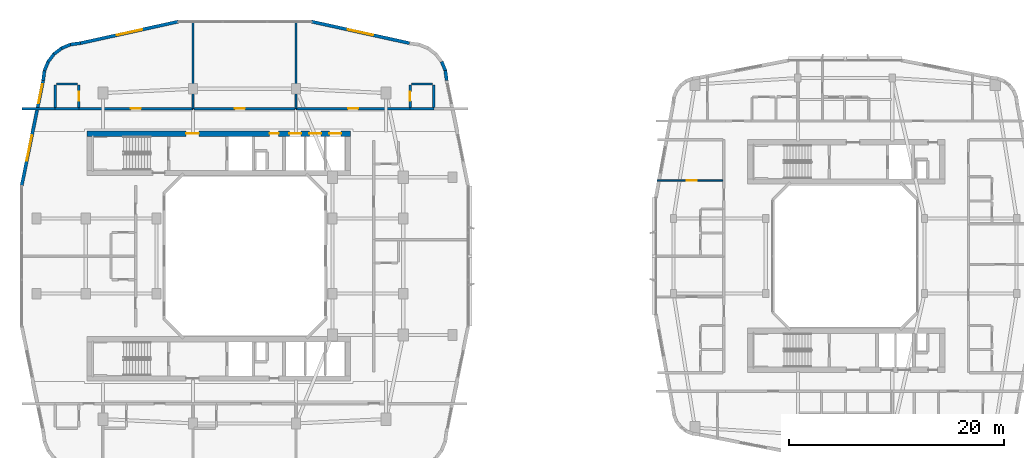
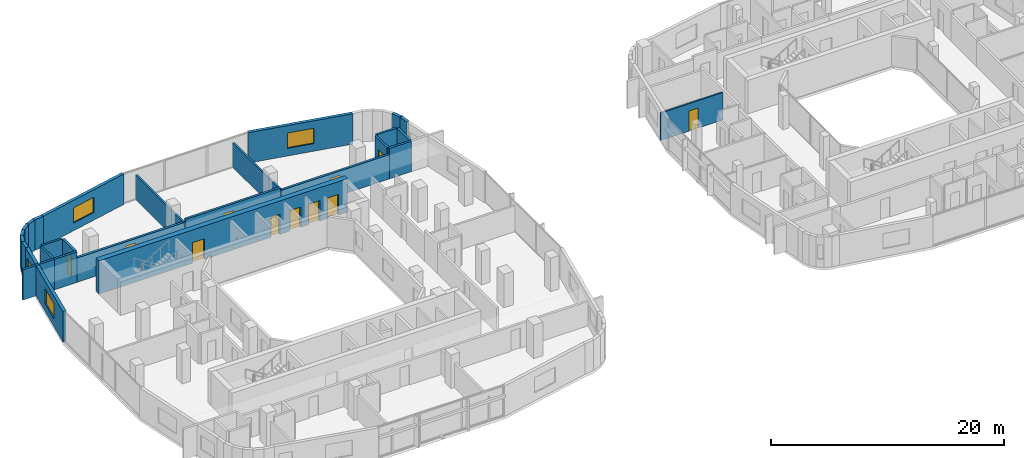
# One storey, part 15 of 25: 27 walls, 11 doors, 4 windows, 15 openings.
"""IFC4 building model written with IfcOpenShell, lengths in metres."""

from ifc_helpers import new_model, si_unit, derived_unit, direction, frame, frame_2d, origin, place, context, subcontext, project, spatial, rectangle, extrude, material, layer, layer_set, type_object, element, fill, save


model = new_model("IFC4")

# Units and contexts
model_context = context("Model", 3, precision=1e-05, world=origin(), true_north=direction((0.0, 1.0)))
body_context = subcontext(model_context, "Body", "Model", "MODEL_VIEW")
ifc_project = project(units=[si_unit("LENGTHUNIT", "METRE"), si_unit("AREAUNIT", "SQUARE_METRE"), si_unit("VOLUMEUNIT", "CUBIC_METRE"), si_unit("PLANEANGLEUNIT", "RADIAN"), si_unit("MASSUNIT", "GRAM", prefix="KILO"), derived_unit("THERMALTRANSMITTANCEUNIT", [(si_unit("POWERUNIT", "WATT"), 1), (si_unit("LENGTHUNIT", "METRE"), -2), (si_unit("THERMODYNAMICTEMPERATUREUNIT", "KELVIN"), -1)])], contexts=[model_context])

# Site, building, storey
site_placement = place(None, origin())
site = spatial("IfcSite", under=ifc_project, at=site_placement, CompositionType="ELEMENT")
building_placement = place(site_placement, origin())
building = spatial("IfcBuilding", under=site, at=building_placement, Name="Kivonza Crest Hotel", CompositionType="ELEMENT")
storey_placement = place(building_placement, frame((0.0, 0.0, 87.0)))
storey = spatial("IfcBuildingStorey", under=building, at=storey_placement, Name="L23", CompositionType="ELEMENT", Elevation=87.0)

# Walls
ifc_material_1 = material(Name="High-density acoustic masonry inter-tenancy wall", Category="masonry")
ifc_layer_1 = layer(ifc_material_1, 0.179931640625)
ifc_layer_set_1 = layer_set([ifc_layer_1], Name="High-density acoustic masonry inter-tenancy wall")
wall_type_1 = type_object("IfcWallType", Name="WL-ACOU-180", PredefinedType="SOLIDWALL", material=ifc_layer_set_1)
for number, where, z_axis, x_axis, name in (
    (1, (16.199951171875, 38.75, 0.0), (0.0, 0.0, 1.0), (0.0, 1.0, 0.0), "L23 interior partition WA-L23-T1N-DIV1"),
    (2, (25.800048828125, 38.75, 0.0), (0.0, 0.0, 1.0), (0.0, 1.0, 0.0), "L23 interior partition WA-L23-T1N-DIV2"),
):
    element("IfcWall", number, at=place(storey_placement, frame(where, z_axis=z_axis, x_axis=x_axis)), inside=storey, type_object=wall_type_1, Name=name, PredefinedType="SOLIDWALL", context=body_context, shape_type="SweptSolid", body=[
        extrude(rectangle(XDim=8.18994140625, YDim=0.179931640625, at=frame_2d((4.094970703125, 0.0))), origin(), (0.0, 0.0, 1.0), 2.554931640625),
    ])
ifc_material_2 = material(Name="Autoclaved aerated concrete blockwork", Category="masonry")
ifc_layer_2 = layer(ifc_material_2, 0.219970703125)
ifc_layer_set_2 = layer_set([ifc_layer_2], Name="Autoclaved aerated concrete blockwork")
wall_type_2 = type_object("IfcWallType", Name="WL-ACOU-220", PredefinedType="SOLIDWALL", material=ifc_layer_set_2)
wall_1_placement = place(storey_placement, frame((0.239990234375, 38.75, 0.0), z_axis=(0.0, 0.0, 1.0), x_axis=(1.0, 0.0, 0.0)))
element("IfcWall", 3, at=wall_1_placement, inside=storey, type_object=wall_type_2, Name="L23 interior partition WA-L23-N01-XCORR", PredefinedType="SOLIDWALL", context=body_context, shape_type="SweptSolid", body=[
    extrude(rectangle(XDim=3.110107421875, YDim=0.219970703125, at=frame_2d((1.55517578125, 0.0))), origin(), (0.0, 0.0, 1.0), 3.179931640625),
])
wall_2_placement = place(storey_placement, frame((3.35009765625, 38.75, 0.0), z_axis=(0.0, 0.0, 1.0), x_axis=(1.0, 0.0, 0.0)))
element("IfcWall", 4, at=wall_2_placement, inside=storey, type_object=wall_type_2, Name="L23 interior partition WA-L23-N01-BCORR", PredefinedType="SOLIDWALL", context=body_context, shape_type="SweptSolid", body=[
    extrude(rectangle(XDim=2.199951171875, YDim=0.219970703125, at=frame_2d((1.10009765625, 0.0))), origin(), (0.0, 0.0, 1.0), 3.179931640625),
])

# Wall, opening, door
wall_3_placement = place(storey_placement, frame((5.550048828125, 38.75, 0.0), z_axis=(0.0, 0.0, 1.0), x_axis=(1.0, 0.0, 0.0)))
wall_3 = element("IfcWall", 5, at=wall_3_placement, inside=storey, type_object=wall_type_2, Name="L23 interior partition WA-L23-N01-MCORR", PredefinedType="SOLIDWALL", context=body_context, shape_type="SweptSolid", body=[
    extrude(rectangle(XDim=10.64990234375, YDim=0.219970703125, at=frame_2d((5.324951171875, 0.0))), origin(), (0.0, 0.0, 1.0), 2.554931640625),
])
opening_1_placement = place(wall_3_placement, frame((4.85009765625, 0.0, 0.0)))
opening_1 = element("IfcOpeningElement", 6, at=opening_1_placement, cuts=wall_3, Name="Opening DU-60", PredefinedType="OPENING", context=body_context, shape_type="SweptSolid", body=[
    extrude(rectangle(XDim=0.949951171875, YDim=2.10009765625, at=frame_2d((0.47509765625, 1.050048828125))), frame((0.0, 0.1201171875, 0.0), z_axis=(0.0, -1.0, 0.0), x_axis=(1.0, 0.0, 0.0)), (0.0, 0.0, 1.0), 0.239990234375),
])
ifc_material_3 = material(Name="Hardwood timber oak", Category="wood")
door_type_1 = type_object("IfcDoorType", Name="DR-UNIT-950", OperationType="NOTDEFINED", PredefinedType="DOOR", material=ifc_material_3)
door_1_placement = place(opening_1_placement, origin())
door_1 = element("IfcDoor", 7, at=door_1_placement, inside=storey, type_object=door_type_1, Name="L23 N01 guest unit entrance fire door", OperationType="SINGLE_SWING_LEFT", OverallHeight=2.10009765625, OverallWidth=0.949951171875, PredefinedType="DOOR", context=body_context, shape_type="SweptSolid", body=[
    extrude(rectangle(XDim=0.949951171875, YDim=2.10009765625, at=frame_2d((0.47509765625, 1.050048828125))), frame((0.0, 0.02490234375, 0.0), z_axis=(0.0, -1.0, 0.0), x_axis=(1.0, 0.0, 0.0)), (0.0, 0.0, 1.0), 0.050048828125),
])
fill(opening_1, door_1)

wall_4_placement = place(storey_placement, frame((16.300048828125, 38.75, 0.0), z_axis=(0.0, 0.0, 1.0), x_axis=(1.0, 0.0, 0.0)))
wall_4 = element("IfcWall", 8, at=wall_4_placement, inside=storey, type_object=wall_type_2, Name="L23 interior partition WA-L23-HK-MAIN-S", PredefinedType="SOLIDWALL", context=body_context, shape_type="SweptSolid", body=[
    extrude(rectangle(XDim=9.39990234375, YDim=0.219970703125, at=frame_2d((4.699951171875, 0.0))), origin(), (0.0, 0.0, 1.0), 2.824951171875),
])
opening_2_placement = place(wall_4_placement, frame((3.79296875, 0.0, 0.0)))
opening_2 = element("IfcOpeningElement", 9, at=opening_2_placement, cuts=wall_4, Name="Opening DF-60S", PredefinedType="OPENING", context=body_context, shape_type="SweptSolid", body=[
    extrude(rectangle(XDim=0.949951171875, YDim=2.10009765625, at=frame_2d((0.47509765625, 1.050048828125))), frame((0.0, 0.1201171875, 0.0), z_axis=(0.0, -1.0, 0.0), x_axis=(1.0, 0.0, 0.0)), (0.0, 0.0, 1.0), 0.239990234375),
])
door_type_2 = type_object("IfcDoorType", Name="DR-FD60-950", OperationType="NOTDEFINED", PredefinedType="DOOR", material=ifc_material_3)
door_2_placement = place(opening_2_placement, origin())
door_2 = element("IfcDoor", 10, at=door_2_placement, inside=storey, type_object=door_type_2, Name="L23 Housekeeping and Linen Room door", OperationType="SINGLE_SWING_RIGHT", OverallHeight=2.10009765625, OverallWidth=0.949951171875, PredefinedType="DOOR", context=body_context, shape_type="SweptSolid", body=[
    extrude(rectangle(XDim=0.949951171875, YDim=2.10009765625, at=frame_2d((0.47509765625, 1.050048828125))), frame((0.0, 0.02490234375, 0.0), z_axis=(0.0, -1.0, 0.0), x_axis=(1.0, 0.0, 0.0)), (0.0, 0.0, 1.0), 0.050048828125),
])
fill(opening_2, door_2)

# Wall
wall_5_placement = place(storey_placement, frame((36.449951171875, 38.75, 0.0), z_axis=(0.0, 0.0, 1.0), x_axis=(1.0, 0.0, 0.0)))
element("IfcWall", 11, at=wall_5_placement, inside=storey, type_object=wall_type_2, Name="L23 interior partition WA-L23-N02-BCORR", PredefinedType="SOLIDWALL", context=body_context, shape_type="SweptSolid", body=[
    extrude(rectangle(XDim=2.199951171875, YDim=0.219970703125, at=frame_2d((1.10009765625, 0.0))), origin(), (0.0, 0.0, 1.0), 3.179931640625),
])

# Wall, opening, door
wall_6_placement = place(storey_placement, frame((25.800048828125, 38.75, 0.0), z_axis=(0.0, 0.0, 1.0), x_axis=(1.0, 0.0, 0.0)))
wall_6 = element("IfcWall", 12, at=wall_6_placement, inside=storey, type_object=wall_type_2, Name="L23 interior partition WA-L23-N02-MCORR", PredefinedType="SOLIDWALL", context=body_context, shape_type="SweptSolid", body=[
    extrude(rectangle(XDim=10.64990234375, YDim=0.219970703125, at=frame_2d((5.324951171875, 0.0))), origin(), (0.0, 0.0, 1.0), 2.554931640625),
])
opening_3_placement = place(wall_6_placement, frame((4.85009765625, 0.0, 0.0)))
opening_3 = element("IfcOpeningElement", 13, at=opening_3_placement, cuts=wall_6, Name="Opening DU-60", PredefinedType="OPENING", context=body_context, shape_type="SweptSolid", body=[
    extrude(rectangle(XDim=0.949951171875, YDim=2.10009765625, at=frame_2d((0.47509765625, 1.050048828125))), frame((0.0, 0.1201171875, 0.0), z_axis=(0.0, -1.0, 0.0), x_axis=(1.0, 0.0, 0.0)), (0.0, 0.0, 1.0), 0.239990234375),
])
door_3_placement = place(opening_3_placement, origin())
door_3 = element("IfcDoor", 14, at=door_3_placement, inside=storey, type_object=door_type_1, Name="L23 N02 guest unit entrance fire door", OperationType="SINGLE_SWING_RIGHT", OverallHeight=2.10009765625, OverallWidth=0.949951171875, PredefinedType="DOOR", context=body_context, shape_type="SweptSolid", body=[
    extrude(rectangle(XDim=0.949951171875, YDim=2.10009765625, at=frame_2d((0.47509765625, 1.050048828125))), frame((0.0, 0.02490234375, 0.0), z_axis=(0.0, -1.0, 0.0), x_axis=(1.0, 0.0, 0.0)), (0.0, 0.0, 1.0), 0.050048828125),
])
fill(opening_3, door_3)

# Wall, openings, doors
ifc_material_4 = material(Name="Concrete C60/75", Category="concrete")
ifc_layer_3 = layer(ifc_material_4, 0.5)
ifc_layer_set_3 = layer_set([ifc_layer_3], Name="Concrete C60/75")
wall_type_3 = type_object("IfcWallType", Name="WL-CORE-500", PredefinedType="SHEAR", material=ifc_layer_set_3)
wall_7_placement = place(storey_placement, frame((6.300048828125, 36.409912109375, 0.0), z_axis=(0.0, 0.0, 1.0), x_axis=(1.0, 0.0, 0.0)))
wall_7 = element("IfcWall", 15, at=wall_7_placement, inside=storey, type_object=wall_type_3, Name="Core wall T1-N North L23", PredefinedType="SHEAR", context=body_context, shape_type="SweptSolid", body=[
    extrude(rectangle(XDim=24.599853515625, YDim=0.5, at=frame_2d((12.2998046875, 0.0))), origin(), (0.0, 0.0, 1.0), 3.5),
])
opening_4_placement = place(wall_7_placement, frame((9.25, 0.0, 0.0)))
opening_4 = element("IfcOpeningElement", 16, at=opening_4_placement, cuts=wall_7, Name="Opening DF-60", PredefinedType="OPENING", context=body_context, shape_type="SweptSolid", body=[
    extrude(rectangle(XDim=1.199951171875, YDim=2.14990234375, at=frame_2d((0.60009765625, 1.074951171875))), frame((0.0, 0.260009765625, 0.0), z_axis=(0.0, -1.0, 0.0), x_axis=(1.0, 0.0, 0.0)), (0.0, 0.0, 1.0), 0.52001953125),
])
opening_5_placement = place(wall_7_placement, frame((17.0400390625, 0.0, 0.0)))
opening_5 = element("IfcOpeningElement", 17, at=opening_5_placement, cuts=wall_7, Name="Opening DF-60R", PredefinedType="OPENING", context=body_context, shape_type="SweptSolid", body=[
    extrude(rectangle(XDim=0.85009765625, YDim=2.10009765625, at=frame_2d((0.425048828125, 1.050048828125))), frame((0.0, 0.260009765625, 0.0), z_axis=(0.0, -1.0, 0.0), x_axis=(1.0, 0.0, 0.0)), (0.0, 0.0, 1.0), 0.52001953125),
])
opening_6_placement = place(wall_7_placement, frame((18.883056640625, 0.0, 0.0)))
opening_6 = element("IfcOpeningElement", 18, at=opening_6_placement, cuts=wall_7, Name="Opening LD-120", PredefinedType="OPENING", context=body_context, shape_type="SweptSolid", body=[
    extrude(rectangle(XDim=1.10009765625, YDim=2.14990234375, at=frame_2d((0.550048828125, 1.074951171875))), frame((0.0, 0.260009765625, 0.0), z_axis=(0.0, -1.0, 0.0), x_axis=(1.0, 0.0, 0.0)), (0.0, 0.0, 1.0), 0.52001953125),
])
opening_7_placement = place(wall_7_placement, frame((20.75, 0.0, 0.0)))
opening_7 = element("IfcOpeningElement", 19, at=opening_7_placement, cuts=wall_7, Name="Opening LD-120", PredefinedType="OPENING", context=body_context, shape_type="SweptSolid", body=[
    extrude(rectangle(XDim=1.10009765625, YDim=2.14990234375, at=frame_2d((0.550048828125, 1.074951171875))), frame((0.0, 0.260009765625, 0.0), z_axis=(0.0, -1.0, 0.0), x_axis=(1.0, 0.0, 0.0)), (0.0, 0.0, 1.0), 0.52001953125),
])
opening_8_placement = place(wall_7_placement, frame((22.615966796875, 0.0, 0.0)))
opening_8 = element("IfcOpeningElement", 20, at=opening_8_placement, cuts=wall_7, Name="Opening LD-120", PredefinedType="OPENING", context=body_context, shape_type="SweptSolid", body=[
    extrude(rectangle(XDim=1.10009765625, YDim=2.14990234375, at=frame_2d((0.550048828125, 1.074951171875))), frame((0.0, 0.260009765625, 0.0), z_axis=(0.0, -1.0, 0.0), x_axis=(1.0, 0.0, 0.0)), (0.0, 0.0, 1.0), 0.52001953125),
])
door_type_3 = type_object("IfcDoorType", Name="DR-FD60-1200", OperationType="NOTDEFINED", PredefinedType="DOOR", material=ifc_material_3)
door_4_placement = place(opening_4_placement, origin())
door_4 = element("IfcDoor", 21, at=door_4_placement, inside=storey, type_object=door_type_3, Name="L23 T1-N firefighting lobby fire door", OperationType="SINGLE_SWING_RIGHT", OverallHeight=2.14990234375, OverallWidth=1.199951171875, PredefinedType="DOOR", context=body_context, shape_type="SweptSolid", body=[
    extrude(rectangle(XDim=1.199951171875, YDim=2.14990234375, at=frame_2d((0.60009765625, 1.074951171875))), frame((0.0, 0.02490234375, 0.0), z_axis=(0.0, -1.0, 0.0), x_axis=(1.0, 0.0, 0.0)), (0.0, 0.0, 1.0), 0.050048828125),
])
fill(opening_4, door_4)
door_type_4 = type_object("IfcDoorType", Name="DR-FD60-850", OperationType="NOTDEFINED", PredefinedType="DOOR", material=ifc_material_3)
door_5_placement = place(opening_5_placement, origin())
door_5 = element("IfcDoor", 22, at=door_5_placement, inside=storey, type_object=door_type_4, Name="L23 T1-N core room door", OperationType="SINGLE_SWING_RIGHT", OverallHeight=2.10009765625, OverallWidth=0.85009765625, PredefinedType="DOOR", context=body_context, shape_type="SweptSolid", body=[
    extrude(rectangle(XDim=0.85009765625, YDim=2.10009765625, at=frame_2d((0.425048828125, 1.050048828125))), frame((0.0, 0.02490234375, 0.0), z_axis=(0.0, -1.0, 0.0), x_axis=(1.0, 0.0, 0.0)), (0.0, 0.0, 1.0), 0.050048828125),
])
fill(opening_5, door_5)
ifc_material_5 = material(Name="Stainless steel", Category="steel")
door_type_5 = type_object("IfcDoorType", Name="DR-LD120-1100", OperationType="NOTDEFINED", PredefinedType="DOOR", material=ifc_material_5)
door_6_placement = place(opening_6_placement, origin())
door_6 = element("IfcDoor", 23, at=door_6_placement, inside=storey, type_object=door_type_5, Name="L23 PL-T1-L1 passenger lift sliding landing door", OperationType="DOUBLE_DOOR_SLIDING", OverallHeight=2.14990234375, OverallWidth=1.10009765625, PredefinedType="DOOR", context=body_context, shape_type="SweptSolid", body=[
    extrude(rectangle(XDim=1.10009765625, YDim=2.14990234375, at=frame_2d((0.550048828125, 1.074951171875))), frame((0.0, 0.02490234375, 0.0), z_axis=(0.0, -1.0, 0.0), x_axis=(1.0, 0.0, 0.0)), (0.0, 0.0, 1.0), 0.050048828125),
])
fill(opening_6, door_6)
door_7_placement = place(opening_7_placement, origin())
door_7 = element("IfcDoor", 24, at=door_7_placement, inside=storey, type_object=door_type_5, Name="L23 PL-T1-L2 passenger lift sliding landing door", OperationType="DOUBLE_DOOR_SLIDING", OverallHeight=2.14990234375, OverallWidth=1.10009765625, PredefinedType="DOOR", context=body_context, shape_type="SweptSolid", body=[
    extrude(rectangle(XDim=1.10009765625, YDim=2.14990234375, at=frame_2d((0.550048828125, 1.074951171875))), frame((0.0, 0.02490234375, 0.0), z_axis=(0.0, -1.0, 0.0), x_axis=(1.0, 0.0, 0.0)), (0.0, 0.0, 1.0), 0.050048828125),
])
fill(opening_7, door_7)
door_8_placement = place(opening_8_placement, origin())
door_8 = element("IfcDoor", 25, at=door_8_placement, inside=storey, type_object=door_type_5, Name="L23 PL-T1-L3 passenger lift sliding landing door", OperationType="DOUBLE_DOOR_SLIDING", OverallHeight=2.14990234375, OverallWidth=1.10009765625, PredefinedType="DOOR", context=body_context, shape_type="SweptSolid", body=[
    extrude(rectangle(XDim=1.10009765625, YDim=2.14990234375, at=frame_2d((0.550048828125, 1.074951171875))), frame((0.0, 0.02490234375, 0.0), z_axis=(0.0, -1.0, 0.0), x_axis=(1.0, 0.0, 0.0)), (0.0, 0.0, 1.0), 0.050048828125),
])
fill(opening_8, door_8)

# Walls
ifc_material_6 = material(Name="Precast concrete C40/50", Category="concrete")
ifc_layer_4 = layer(ifc_material_6, 0.300048828125)
ifc_layer_set_4 = layer_set([ifc_layer_4], Name="Precast concrete C40/50")
wall_type_4 = type_object("IfcWallType", Name="WL-EXT-300", PredefinedType="STANDARD", material=ifc_layer_set_4)
wall_8_placement = place(storey_placement, frame((39.85205078125, 41.3720703125, 0.0), z_axis=(0.0, 0.0, 1.0), x_axis=(-0.131174864804, 0.991359246108, 0.0)))
element("IfcWall", 26, at=wall_8_placement, inside=storey, type_object=wall_type_4, Name="L23 T1 exterior insulated wall 19", PredefinedType="STANDARD", context=body_context, shape_type="SweptSolid", body=[
    extrude(rectangle(XDim=0.93798828125, YDim=0.300048828125, at=frame_2d((0.468994140625, 0.0))), origin(), (0.0, 0.0, 1.0), 3.179931640625),
])
wall_9_placement = place(storey_placement, frame((39.748046875, 42.251953125, 0.0), z_axis=(0.0, 0.0, 1.0), x_axis=(-0.382344263057, 0.924019948111, 0.0)))
element("IfcWall", 27, at=wall_9_placement, inside=storey, type_object=wall_type_4, Name="L23 T1 exterior insulated wall 20", PredefinedType="STANDARD", context=body_context, shape_type="SweptSolid", body=[
    extrude(rectangle(XDim=0.95458984375, YDim=0.300048828125, at=frame_2d((0.477294921875, 0.0))), origin(), (0.0, 0.0, 1.0), 3.179931640625),
])

# Wall, opening, window
wall_10_placement = place(storey_placement, frame((36.3759765625, 44.85205078125, 0.0), z_axis=(0.0, 0.0, 1.0), x_axis=(-0.97654500432, 0.215313386808, 0.0)))
wall_10 = element("IfcWall", 28, at=wall_10_placement, inside=storey, type_object=wall_type_4, Name="L23 T1 exterior insulated wall 25", PredefinedType="STANDARD", context=body_context, shape_type="SweptSolid", body=[
    extrude(rectangle(XDim=9.353515625, YDim=0.300048828125, at=frame_2d((4.6767578125, 0.0))), origin(), (0.0, 0.0, 1.0), 3.179931640625),
])
opening_9_placement = place(wall_10_placement, frame((3.47705078125, 0.0, 0.800048828125)))
opening_9 = element("IfcOpeningElement", 29, at=opening_9_placement, cuts=wall_10, Name="Opening WN-05", PredefinedType="OPENING", context=body_context, shape_type="SweptSolid", body=[
    extrude(rectangle(XDim=2.39990234375, YDim=1.60009765625, at=frame_2d((1.199951171875, 0.800048828125))), frame((0.0, 0.16015625, 0.0), z_axis=(0.0, -1.0, 0.0), x_axis=(1.0, 0.0, 0.0)), (0.0, 0.0, 1.0), 0.320068359375),
])
ifc_material_7 = material(Name="Thermally broken bronze aluminium and low-E double glazing", Category="aluminium")
window_type_1 = type_object("IfcWindowType", Name="WN-240x160", PartitioningType="TRIPLE_PANEL_VERTICAL", PredefinedType="WINDOW", material=ifc_material_7)
window_1_placement = place(opening_9_placement, origin())
window_1 = element("IfcWindow", 30, at=window_1_placement, inside=storey, type_object=window_type_1, Name="L23 T1 facade window 25", OverallHeight=1.60009765625, OverallWidth=2.39990234375, PartitioningType="SINGLE_PANEL", PredefinedType="WINDOW", context=body_context, shape_type="SweptSolid", body=[
    extrude(rectangle(XDim=2.39990234375, YDim=1.60009765625, at=frame_2d((1.199951171875, 0.800048828125))), frame((0.0, 0.030029296875, 0.0), z_axis=(0.0, -1.0, 0.0), x_axis=(1.0, 0.0, 0.0)), (0.0, 0.0, 1.0), 0.06005859375),
])
fill(opening_9, window_1)

wall_11_placement = place(storey_placement, frame((14.837890625, 46.865966796875, 0.0), z_axis=(0.0, 0.0, 1.0), x_axis=(-0.9765437942, -0.215318875183, 0.0)))
wall_11 = element("IfcWall", 31, at=wall_11_placement, inside=storey, type_object=wall_type_4, Name="L23 T1 exterior insulated wall 27", PredefinedType="STANDARD", context=body_context, shape_type="SweptSolid", body=[
    extrude(rectangle(XDim=9.353271484375, YDim=0.300048828125, at=frame_2d((4.6767578125, 0.0))), origin(), (0.0, 0.0, 1.0), 3.179931640625),
])
opening_10_placement = place(wall_11_placement, frame((3.47705078125, 0.0, 0.800048828125)))
opening_10 = element("IfcOpeningElement", 32, at=opening_10_placement, cuts=wall_11, Name="Opening WN-05", PredefinedType="OPENING", context=body_context, shape_type="SweptSolid", body=[
    extrude(rectangle(XDim=2.39990234375, YDim=1.60009765625, at=frame_2d((1.199951171875, 0.800048828125))), frame((0.0, 0.16015625, 0.0), z_axis=(0.0, -1.0, 0.0), x_axis=(1.0, 0.0, 0.0)), (0.0, 0.0, 1.0), 0.320068359375),
])
window_2_placement = place(opening_10_placement, origin())
window_2 = element("IfcWindow", 33, at=window_2_placement, inside=storey, type_object=window_type_1, Name="L23 T1 facade window 27", OverallHeight=1.60009765625, OverallWidth=2.39990234375, PartitioningType="SINGLE_PANEL", PredefinedType="WINDOW", context=body_context, shape_type="SweptSolid", body=[
    extrude(rectangle(XDim=2.39990234375, YDim=1.60009765625, at=frame_2d((1.199951171875, 0.800048828125))), frame((0.0, 0.030029296875, 0.0), z_axis=(0.0, -1.0, 0.0), x_axis=(1.0, 0.0, 0.0)), (0.0, 0.0, 1.0), 0.06005859375),
])
fill(opening_10, window_2)

# Walls
wall_12_placement = place(storey_placement, frame((5.7080078125, 44.85205078125, 0.0), z_axis=(0.0, 0.0, 1.0), x_axis=(-0.991359246108, -0.131174864804, 0.0)))
element("IfcWall", 34, at=wall_12_placement, inside=storey, type_object=wall_type_4, Name="L23 T1 exterior insulated wall 28", PredefinedType="STANDARD", context=body_context, shape_type="SweptSolid", body=[
    extrude(rectangle(XDim=0.93798828125, YDim=0.300048828125, at=frame_2d((0.468994140625, 0.0))), origin(), (0.0, 0.0, 1.0), 3.179931640625),
])
wall_13_placement = place(storey_placement, frame((4.827880859375, 44.748046875, 0.0), z_axis=(0.0, 0.0, 1.0), x_axis=(-0.923982547689, -0.382434636986, 0.0)))
element("IfcWall", 35, at=wall_13_placement, inside=storey, type_object=wall_type_4, Name="L23 T1 exterior insulated wall 29", PredefinedType="STANDARD", context=body_context, shape_type="SweptSolid", body=[
    extrude(rectangle(XDim=0.954345703125, YDim=0.300048828125, at=frame_2d((0.47705078125, 0.0))), origin(), (0.0, 0.0, 1.0), 3.179931640625),
])
for number, where, z_axis, x_axis, name in (
    (36, (3.990966796875, 44.4140625, 0.0), (0.0, 0.0, 1.0), (-0.793668068435, -0.608351047625, 0.0), "L23 T1 exterior insulated wall 30"),
    (37, (3.26806640625, 43.875, 0.0), (0.0, 0.0, 1.0), (-0.608351047625, -0.793668068435, 0.0), "L23 T1 exterior insulated wall 31"),
):
    element("IfcWall", number, at=place(storey_placement, frame(where, z_axis=z_axis, x_axis=x_axis)), inside=storey, type_object=wall_type_4, Name=name, PredefinedType="STANDARD", context=body_context, shape_type="SweptSolid", body=[
        extrude(rectangle(XDim=0.955078125, YDim=0.300048828125, at=frame_2d((0.4775390625, 0.0))), origin(), (0.0, 0.0, 1.0), 3.179931640625),
    ])
wall_14_placement = place(storey_placement, frame((2.7109375, 43.166015625, 0.0), z_axis=(0.0, 0.0, 1.0), x_axis=(-0.382344263057, -0.924019948111, 0.0)))
element("IfcWall", 38, at=wall_14_placement, inside=storey, type_object=wall_type_4, Name="L23 T1 exterior insulated wall 32", PredefinedType="STANDARD", context=body_context, shape_type="SweptSolid", body=[
    extrude(rectangle(XDim=0.95458984375, YDim=0.300048828125, at=frame_2d((0.477294921875, 0.0))), origin(), (0.0, 0.0, 1.0), 3.179931640625),
])
wall_15_placement = place(storey_placement, frame((2.35498046875, 42.3369140625, 0.0), z_axis=(0.0, 0.0, 1.0), x_axis=(-0.130454512571, -0.991454295543, 0.0)))
element("IfcWall", 39, at=wall_15_placement, inside=storey, type_object=wall_type_4, Name="L23 T1 exterior insulated wall 33", PredefinedType="STANDARD", context=body_context, shape_type="SweptSolid", body=[
    extrude(rectangle(XDim=0.97314453125, YDim=0.300048828125, at=frame_2d((0.486572265625, 0.0))), origin(), (0.0, 0.0, 1.0), 3.179931640625),
])

# Wall, openings, windows
wall_16_placement = place(storey_placement, frame((2.22900390625, 41.3779296875, 0.0), z_axis=(0.0, 0.0, 1.0), x_axis=(-0.199990901713, -0.979797754249, 0.0)))
wall_16 = element("IfcWall", 40, at=wall_16_placement, inside=storey, type_object=wall_type_4, Name="L23 T1 exterior insulated wall 34", PredefinedType="STANDARD", context=body_context, shape_type="SweptSolid", body=[
    extrude(rectangle(XDim=10.065185546875, YDim=0.300048828125, at=frame_2d((5.03271484375, 0.0))), origin(), (0.0, 0.0, 1.0), 3.179931640625),
])
opening_11_placement = place(wall_16_placement, frame((0.3779296875, 0.0, 0.85009765625)))
opening_11 = element("IfcOpeningElement", 41, at=opening_11_placement, cuts=wall_16, Name="Opening WN-03", PredefinedType="OPENING", context=body_context, shape_type="SweptSolid", body=[
    extrude(rectangle(XDim=1.800048828125, YDim=1.5, at=frame_2d((0.89990234375, 0.75))), frame((0.0, 0.16015625, 0.0), z_axis=(0.0, -1.0, 0.0), x_axis=(1.0, 0.0, 0.0)), (0.0, 0.0, 1.0), 0.320068359375),
])
opening_12_placement = place(wall_16_placement, frame((5.236083984375, 0.0, 0.800048828125)))
opening_12 = element("IfcOpeningElement", 42, at=opening_12_placement, cuts=wall_16, Name="Opening WN-05", PredefinedType="OPENING", context=body_context, shape_type="SweptSolid", body=[
    extrude(rectangle(XDim=2.39990234375, YDim=1.60009765625, at=frame_2d((1.199951171875, 0.800048828125))), frame((0.0, 0.16015625, 0.0), z_axis=(0.0, -1.0, 0.0), x_axis=(1.0, 0.0, 0.0)), (0.0, 0.0, 1.0), 0.320068359375),
])
window_type_2 = type_object("IfcWindowType", Name="WN-180x150", PartitioningType="DOUBLE_PANEL_VERTICAL", PredefinedType="WINDOW", material=ifc_material_7)
window_3_placement = place(opening_11_placement, origin())
window_3 = element("IfcWindow", 43, at=window_3_placement, inside=storey, type_object=window_type_2, Name="L23 T1 facade window 34 bay 1", OverallHeight=1.5, OverallWidth=1.800048828125, PartitioningType="SINGLE_PANEL", PredefinedType="WINDOW", context=body_context, shape_type="SweptSolid", body=[
    extrude(rectangle(XDim=1.800048828125, YDim=1.5, at=frame_2d((0.89990234375, 0.75))), frame((0.0, 0.030029296875, 0.0), z_axis=(0.0, -1.0, 0.0), x_axis=(1.0, 0.0, 0.0)), (0.0, 0.0, 1.0), 0.06005859375),
])
fill(opening_11, window_3)
window_4_placement = place(opening_12_placement, origin())
window_4 = element("IfcWindow", 44, at=window_4_placement, inside=storey, type_object=window_type_1, Name="L23 T1 facade window 34 bay 2", OverallHeight=1.60009765625, OverallWidth=2.39990234375, PartitioningType="SINGLE_PANEL", PredefinedType="WINDOW", context=body_context, shape_type="SweptSolid", body=[
    extrude(rectangle(XDim=2.39990234375, YDim=1.60009765625, at=frame_2d((1.199951171875, 0.800048828125))), frame((0.0, 0.030029296875, 0.0), z_axis=(0.0, -1.0, 0.0), x_axis=(1.0, 0.0, 0.0)), (0.0, 0.0, 1.0), 0.06005859375),
])
fill(opening_12, window_4)

# Wall, opening, door
ifc_material_8 = material(Name="Twin-stud acoustic gypsum board partition", Category="gypsum")
ifc_layer_5 = layer(ifc_material_8, 0.14990234375)
ifc_layer_set_5 = layer_set([ifc_layer_5], Name="Twin-stud acoustic gypsum board partition")
wall_type_5 = type_object("IfcWallType", Name="WL-PART-150", PredefinedType="PARTITIONING", material=ifc_layer_set_5)
wall_17_placement = place(storey_placement, frame((59.4599609375, 32.06005859375, 0.0), z_axis=(0.0, 0.0, 1.0), x_axis=(1.0, 0.0, 0.0)))
wall_17 = element("IfcWall", 45, at=wall_17_placement, inside=storey, type_object=wall_type_5, Name="L23 interior partition WP-L23-A06-BD1", PredefinedType="PARTITIONING", context=body_context, shape_type="SweptSolid", body=[
    extrude(rectangle(XDim=6.14013671875, YDim=0.14990234375, at=frame_2d((3.070068359375, 0.0))), origin(), (0.0, 0.0, 1.0), 2.875),
])
opening_13_placement = place(wall_17_placement, frame((2.7900390625, 0.0, 0.0)))
opening_13 = element("IfcOpeningElement", 46, at=opening_13_placement, cuts=wall_17, Name="Opening DI-90", PredefinedType="OPENING", context=body_context, shape_type="SweptSolid", body=[
    extrude(rectangle(XDim=0.89990234375, YDim=2.10009765625, at=frame_2d((0.449951171875, 1.050048828125))), frame((0.0, 0.0849609375, 0.0), z_axis=(0.0, -1.0, 0.0), x_axis=(1.0, 0.0, 0.0)), (0.0, 0.0, 1.0), 0.169921875),
])
door_type_6 = type_object("IfcDoorType", Name="DR-INT-900", OperationType="NOTDEFINED", PredefinedType="DOOR", material=ifc_material_3)
door_9_placement = place(opening_13_placement, origin())
door_9 = element("IfcDoor", 47, at=door_9_placement, inside=storey, type_object=door_type_6, Name="L23 A06 bedroom door", OperationType="SINGLE_SWING_LEFT", OverallHeight=2.10009765625, OverallWidth=0.89990234375, PredefinedType="DOOR", context=body_context, shape_type="SweptSolid", body=[
    extrude(rectangle(XDim=0.89990234375, YDim=2.10009765625, at=frame_2d((0.449951171875, 1.050048828125))), frame((0.0, 0.02490234375, 0.0), z_axis=(0.0, -1.0, 0.0), x_axis=(1.0, 0.0, 0.0)), (0.0, 0.0, 1.0), 0.050048828125),
])
fill(opening_13, door_9)

ifc_material_9 = material(Name="Moisture-resistant plumbing chase partition wall", Category="gypsum")
ifc_layer_6 = layer(ifc_material_9, 0.199951171875)
ifc_layer_set_6 = layer_set([ifc_layer_6], Name="Moisture-resistant plumbing chase partition wall")
wall_type_6 = type_object("IfcWallType", Name="WL-PLUMB-200", PredefinedType="PLUMBINGWALL", material=ifc_layer_set_6)
wall_18_placement = place(storey_placement, frame((5.550048828125, 38.85009765625, 0.0), z_axis=(0.0, 0.0, 1.0), x_axis=(0.0, 1.0, 0.0)))
wall_18 = element("IfcWall", 48, at=wall_18_placement, inside=storey, type_object=wall_type_6, Name="L23 interior partition WW-L23-N01-BV", PredefinedType="PLUMBINGWALL", context=body_context, shape_type="SweptSolid", body=[
    extrude(rectangle(XDim=2.099853515625, YDim=0.199951171875, at=frame_2d((1.0498046875, 0.0))), origin(), (0.0, 0.0, 1.0), 3.179931640625),
])
opening_14_placement = place(wall_18_placement, frame((0.625, 0.0, 0.0)))
opening_14 = element("IfcOpeningElement", 49, at=opening_14_placement, cuts=wall_18, Name="Opening DI-85", PredefinedType="OPENING", context=body_context, shape_type="SweptSolid", body=[
    extrude(rectangle(XDim=0.85009765625, YDim=2.10009765625, at=frame_2d((0.425048828125, 1.050048828125))), frame((0.0, 0.10986328125, 0.0), z_axis=(0.0, -1.0, 0.0), x_axis=(1.0, 0.0, 0.0)), (0.0, 0.0, 1.0), 0.219970703125),
])
door_type_7 = type_object("IfcDoorType", Name="DR-INT-850", OperationType="NOTDEFINED", PredefinedType="DOOR", material=ifc_material_3)
door_10_placement = place(opening_14_placement, frame((0.85009765625, 0.0, 0.0), z_axis=(0.0, 0.0, 1.0), x_axis=(-1.0, 0.0, 0.0)))
door_10 = element("IfcDoor", 50, at=door_10_placement, inside=storey, type_object=door_type_7, Name="L23 N01 en-suite bathroom door", OperationType="SINGLE_SWING_RIGHT", OverallHeight=2.10009765625, OverallWidth=0.85009765625, PredefinedType="DOOR", context=body_context, shape_type="SweptSolid", body=[
    extrude(rectangle(XDim=0.85009765625, YDim=2.10009765625, at=frame_2d((0.425048828125, 1.050048828125))), frame((0.0, 0.02490234375, 0.0), z_axis=(0.0, -1.0, 0.0), x_axis=(1.0, 0.0, 0.0)), (0.0, 0.0, 1.0), 0.050048828125),
])
fill(opening_14, door_10)

# Walls
wall_19_placement = place(storey_placement, frame((3.449951171875, 41.050048828125, 0.0), z_axis=(0.0, 0.0, 1.0), x_axis=(1.0, 0.0, 0.0)))
element("IfcWall", 51, at=wall_19_placement, inside=storey, type_object=wall_type_6, Name="L23 interior partition WW-L23-N01-BH", PredefinedType="PLUMBINGWALL", context=body_context, shape_type="SweptSolid", body=[
    extrude(rectangle(XDim=2.0, YDim=0.199951171875, at=frame_2d((1.0, 0.0))), origin(), (0.0, 0.0, 1.0), 3.179931640625),
])
wall_20_placement = place(storey_placement, frame((3.35009765625, 38.85009765625, 0.0), z_axis=(0.0, 0.0, 1.0), x_axis=(0.0, 1.0, 0.0)))
element("IfcWall", 52, at=wall_20_placement, inside=storey, type_object=wall_type_6, Name="L23 interior partition WW-L23-N01-BVW", PredefinedType="PLUMBINGWALL", context=body_context, shape_type="SweptSolid", body=[
    extrude(rectangle(XDim=2.099853515625, YDim=0.199951171875, at=frame_2d((1.0498046875, 0.0))), origin(), (0.0, 0.0, 1.0), 3.179931640625),
])

# Wall, opening, door
wall_21_placement = place(storey_placement, frame((36.449951171875, 38.85009765625, 0.0), z_axis=(0.0, 0.0, 1.0), x_axis=(0.0, 1.0, 0.0)))
wall_21 = element("IfcWall", 53, at=wall_21_placement, inside=storey, type_object=wall_type_6, Name="L23 interior partition WW-L23-N02-BV", PredefinedType="PLUMBINGWALL", context=body_context, shape_type="SweptSolid", body=[
    extrude(rectangle(XDim=2.099853515625, YDim=0.199951171875, at=frame_2d((1.0498046875, 0.0))), origin(), (0.0, 0.0, 1.0), 3.179931640625),
])
opening_15_placement = place(wall_21_placement, frame((0.625, 0.0, 0.0)))
opening_15 = element("IfcOpeningElement", 54, at=opening_15_placement, cuts=wall_21, Name="Opening DI-85", PredefinedType="OPENING", context=body_context, shape_type="SweptSolid", body=[
    extrude(rectangle(XDim=0.85009765625, YDim=2.10009765625, at=frame_2d((0.425048828125, 1.050048828125))), frame((0.0, 0.10986328125, 0.0), z_axis=(0.0, -1.0, 0.0), x_axis=(1.0, 0.0, 0.0)), (0.0, 0.0, 1.0), 0.219970703125),
])
door_11_placement = place(opening_15_placement, origin())
door_11 = element("IfcDoor", 55, at=door_11_placement, inside=storey, type_object=door_type_7, Name="L23 N02 en-suite bathroom door", OperationType="SINGLE_SWING_LEFT", OverallHeight=2.10009765625, OverallWidth=0.85009765625, PredefinedType="DOOR", context=body_context, shape_type="SweptSolid", body=[
    extrude(rectangle(XDim=0.85009765625, YDim=2.10009765625, at=frame_2d((0.425048828125, 1.050048828125))), frame((0.0, 0.02490234375, 0.0), z_axis=(0.0, -1.0, 0.0), x_axis=(1.0, 0.0, 0.0)), (0.0, 0.0, 1.0), 0.050048828125),
])
fill(opening_15, door_11)

# Walls
wall_22_placement = place(storey_placement, frame((36.550048828125, 41.050048828125, 0.0), z_axis=(0.0, 0.0, 1.0), x_axis=(1.0, 0.0, 0.0)))
element("IfcWall", 56, at=wall_22_placement, inside=storey, type_object=wall_type_6, Name="L23 interior partition WW-L23-N02-BH", PredefinedType="PLUMBINGWALL", context=body_context, shape_type="SweptSolid", body=[
    extrude(rectangle(XDim=2.0, YDim=0.199951171875, at=frame_2d((1.0, 0.0))), origin(), (0.0, 0.0, 1.0), 3.179931640625),
])
wall_23_placement = place(storey_placement, frame((38.64990234375, 38.85009765625, 0.0), z_axis=(0.0, 0.0, 1.0), x_axis=(0.0, 1.0, 0.0)))
element("IfcWall", 57, at=wall_23_placement, inside=storey, type_object=wall_type_6, Name="L23 interior partition WW-L23-N02-BVE", PredefinedType="PLUMBINGWALL", context=body_context, shape_type="SweptSolid", body=[
    extrude(rectangle(XDim=2.099853515625, YDim=0.199951171875, at=frame_2d((1.0498046875, 0.0))), origin(), (0.0, 0.0, 1.0), 3.179931640625),
])

save(model, "model.ifc")
